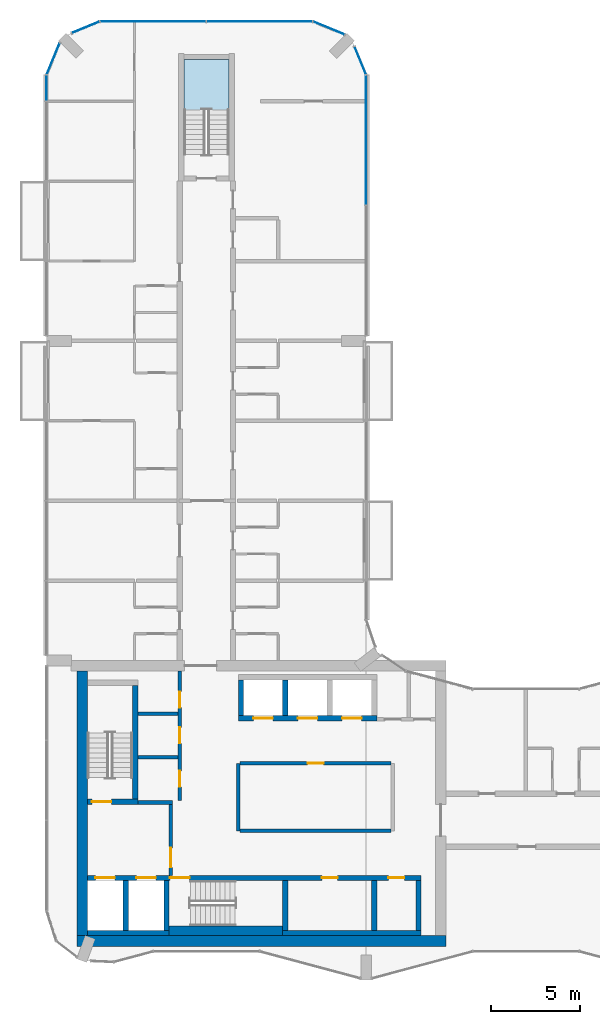
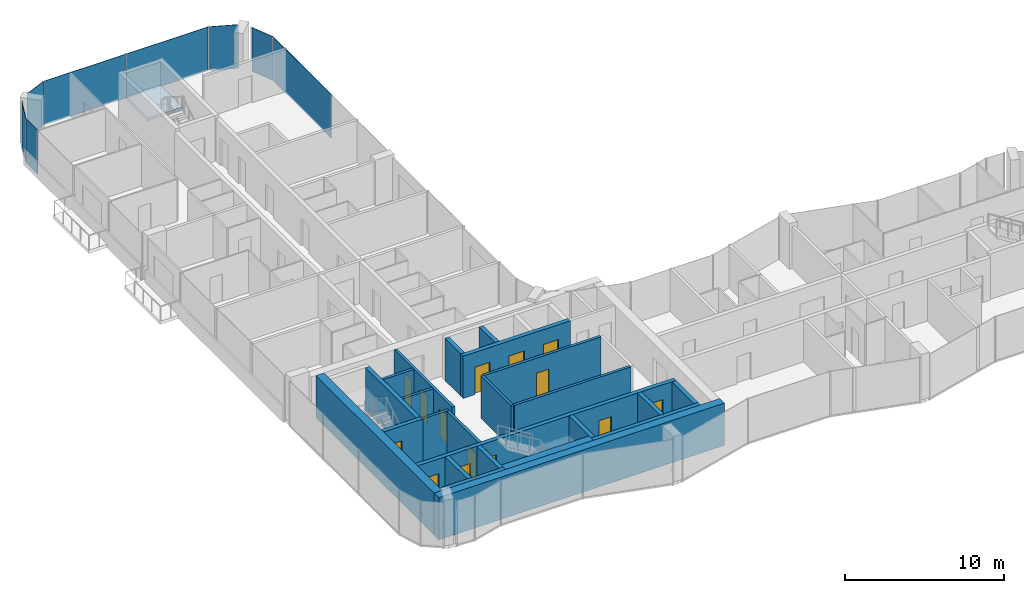
# One storey, part 9 of 15: 24 walls, 14 doors, 8 plates, 1 slab, 14 openings, 8 elements without a shape of their own.
"""IFC4 building model written with IfcOpenShell, lengths in metres."""

from ifc_helpers import new_model, si_unit, direction, frame, frame_2d, origin, origin_2d, place, context, subcontext, project, spatial, polyline, rectangle, outline, extrude, material, layer, layer_set, type_object, element, fill, aggregate, save


model = new_model("IFC4")

# Units and contexts
model_context = context("Model", 3, precision=1e-05, world=origin(), true_north=direction((0.0, 1.0)))
body_context = subcontext(model_context, "Body", "Model", "MODEL_VIEW")
ifc_project = project(units=[si_unit("LENGTHUNIT", "METRE"), si_unit("AREAUNIT", "SQUARE_METRE"), si_unit("VOLUMEUNIT", "CUBIC_METRE"), si_unit("PLANEANGLEUNIT", "RADIAN"), si_unit("MASSUNIT", "GRAM", prefix="KILO")], contexts=[model_context])

# Site, building, storey
site_placement = place(None, origin())
site = spatial("IfcSite", under=ifc_project, at=site_placement, CompositionType="ELEMENT")
building_placement = place(site_placement, origin())
building = spatial("IfcBuilding", under=site, at=building_placement, Name="Plateau Cross Towers", CompositionType="ELEMENT")
storey_placement = place(building_placement, frame((0.0, 0.0, 170.89990234375)))
storey = spatial("IfcBuildingStorey", under=building, at=storey_placement, Name="L44", CompositionType="ELEMENT", Elevation=170.89990234375)

# Curtain wall, plate
ifc_material_1 = material(Name="Dark low-iron glass", Category="glass")
ifc_layer_1 = layer(ifc_material_1, 0.239990234375)
ifc_layer_set_1 = layer_set([ifc_layer_1], Name="Dark low-iron glass")
curtain_wall_type = type_object("IfcCurtainWallType", Name="Curtain wall flush unitised CW-B", PredefinedType="NOTDEFINED", material=ifc_layer_set_1)
curtain_wall_1_placement = place(storey_placement, origin())
curtain_wall_1 = element("IfcCurtainWall", 1, at=curtain_wall_1_placement, inside=storey, type_object=curtain_wall_type, Name="ENV/A/L44/A180_363", PredefinedType="NOTDEFINED")
ifc_layer_2 = layer(ifc_material_1, 0.031982421875)
ifc_layer_set_2 = layer_set([ifc_layer_2], Name="Dark low-iron glass")
plate_type = type_object("IfcPlateType", Name="Glass panel 32 flush unitised", PredefinedType="CURTAIN_PANEL", material=ifc_layer_set_2)
plate_1_placement = place(storey_placement, frame((18.0, 47.324951171875, -0.1298828125), z_axis=(0.0, 0.0, 1.0), x_axis=(0.0, 1.0, 0.0)))
plate_1 = element("IfcPlate", 2, at=plate_1_placement, type_object=plate_type, Name="CW-B panel 2", PredefinedType="CURTAIN_PANEL", context=body_context, shape_type="SweptSolid", body=[
    extrude(rectangle(XDim=7.2900390625, YDim=0.031982421875, at=origin_2d()), origin(), (0.0, 0.0, 1.0), 3.3798828125),
])
aggregate(curtain_wall_1, [plate_1])

curtain_wall_2_placement = place(storey_placement, origin())
curtain_wall_2 = element("IfcCurtainWall", 3, at=curtain_wall_2_placement, inside=storey, type_object=curtain_wall_type, Name="ENV/A/L44/A180_510", PredefinedType="NOTDEFINED")
plate_2_placement = place(storey_placement, frame((17.66943359375, 51.79833984375, -0.1298828125), z_axis=(0.0, 0.0, 1.0), x_axis=(-0.382683612978, 0.923879457699, 0.0)))
plate_2 = element("IfcPlate", 4, at=plate_2_placement, type_object=plate_type, Name="CW-B panel 1", PredefinedType="CURTAIN_PANEL", context=body_context, shape_type="SweptSolid", body=[
    extrude(rectangle(XDim=1.668212890625, YDim=0.031982421875, at=origin_2d()), origin(), (0.0, 0.0, 1.0), 3.3798828125),
])
aggregate(curtain_wall_2, [plate_2])

curtain_wall_3_placement = place(storey_placement, origin())
curtain_wall_3 = element("IfcCurtainWall", 5, at=curtain_wall_3_placement, inside=storey, type_object=curtain_wall_type, Name="ENV/A/L44/A168_533", PredefinedType="NOTDEFINED")
plate_3_placement = place(storey_placement, frame((15.90283203125, 53.6259765625, -0.1298828125), z_axis=(0.0, 0.0, 1.0), x_axis=(-0.923879457699, 0.382683612978, 0.0)))
plate_3 = element("IfcPlate", 6, at=plate_3_placement, type_object=plate_type, Name="CW-B panel 1", PredefinedType="CURTAIN_PANEL", context=body_context, shape_type="SweptSolid", body=[
    extrude(rectangle(XDim=1.894775390625, YDim=0.031982421875, at=origin_2d()), origin(), (0.0, 0.0, 1.0), 3.3798828125),
])
aggregate(curtain_wall_3, [plate_3])

# Curtain wall, plates
curtain_wall_4_placement = place(storey_placement, origin())
curtain_wall_4 = element("IfcCurtainWall", 7, at=curtain_wall_4_placement, inside=storey, type_object=curtain_wall_type, Name="ENV/A/L44/A150_540", PredefinedType="NOTDEFINED")
plate_4_placement = place(storey_placement, frame((12.0, 54.0, -0.1298828125), z_axis=(0.0, 0.0, 1.0), x_axis=(-1.0, 0.0, 0.0)))
plate_4 = element("IfcPlate", 8, at=plate_4_placement, type_object=plate_type, Name="CW-B panel 1", PredefinedType="CURTAIN_PANEL", context=body_context, shape_type="SweptSolid", body=[
    extrude(rectangle(XDim=5.93994140625, YDim=0.031982421875, at=origin_2d()), origin(), (0.0, 0.0, 1.0), 3.3798828125),
])
plate_5_placement = place(storey_placement, frame((6.0, 54.0, -0.1298828125), z_axis=(0.0, 0.0, 1.0), x_axis=(-1.0, 0.0, 0.0)))
plate_5 = element("IfcPlate", 9, at=plate_5_placement, type_object=plate_type, Name="CW-B panel 2", PredefinedType="CURTAIN_PANEL", context=body_context, shape_type="SweptSolid", body=[
    extrude(rectangle(XDim=5.93994140625, YDim=0.031982421875, at=origin_2d()), origin(), (0.0, 0.0, 1.0), 3.3798828125),
])
aggregate(curtain_wall_4, [plate_4, plate_5])

# Curtain wall, plate
curtain_wall_5_placement = place(storey_placement, origin())
curtain_wall_5 = element("IfcCurtainWall", 10, at=curtain_wall_5_placement, inside=storey, type_object=curtain_wall_type, Name="ENV/A/L44/A30_540", PredefinedType="NOTDEFINED")
plate_6_placement = place(storey_placement, frame((2.20166015625, 53.66943359375, -0.1298828125), z_axis=(0.0, 0.0, 1.0), x_axis=(-0.923879457699, -0.382683612978, 0.0)))
plate_6 = element("IfcPlate", 11, at=plate_6_placement, type_object=plate_type, Name="CW-B panel 1", PredefinedType="CURTAIN_PANEL", context=body_context, shape_type="SweptSolid", body=[
    extrude(rectangle(XDim=1.668212890625, YDim=0.031982421875, at=origin_2d()), origin(), (0.0, 0.0, 1.0), 3.3798828125),
])
aggregate(curtain_wall_5, [plate_6])

curtain_wall_6_placement = place(storey_placement, origin())
curtain_wall_6 = element("IfcCurtainWall", 12, at=curtain_wall_6_placement, inside=storey, type_object=curtain_wall_type, Name="ENV/A/L44/A7_528", PredefinedType="NOTDEFINED")
plate_7_placement = place(storey_placement, frame((0.3740234375, 51.90283203125, -0.1298828125), z_axis=(0.0, 0.0, 1.0), x_axis=(-0.382683612978, -0.923879457699, 0.0)))
plate_7 = element("IfcPlate", 13, at=plate_7_placement, type_object=plate_type, Name="CW-B panel 1", PredefinedType="CURTAIN_PANEL", context=body_context, shape_type="SweptSolid", body=[
    extrude(rectangle(XDim=1.894775390625, YDim=0.031982421875, at=origin_2d()), origin(), (0.0, 0.0, 1.0), 3.3798828125),
])
aggregate(curtain_wall_6, [plate_7])

curtain_wall_7_placement = place(storey_placement, origin())
curtain_wall_7 = element("IfcCurtainWall", 14, at=curtain_wall_7_placement, inside=storey, type_object=curtain_wall_type, Name="ENV/A/L44/A0_510", PredefinedType="NOTDEFINED")
plate_8_placement = place(storey_placement, frame((0.0, 50.25, -0.1298828125), z_axis=(0.0, 0.0, 1.0), x_axis=(0.0, -1.0, 0.0)))
plate_8 = element("IfcPlate", 15, at=plate_8_placement, type_object=plate_type, Name="CW-B panel 1", PredefinedType="CURTAIN_PANEL", context=body_context, shape_type="SweptSolid", body=[
    extrude(rectangle(XDim=1.43994140625, YDim=0.031982421875, at=origin_2d()), origin(), (0.0, 0.0, 1.0), 3.3798828125),
])
aggregate(curtain_wall_7, [plate_8])

# Stair, slab
ifc_material_2 = material(Name="Concrete C40/50", Category="concrete")
stair_type = type_object("IfcStairType", Name="ST-TWR", PredefinedType="HALF_TURN_STAIR", material=ifc_material_2)
stair_placement = place(storey_placement, origin())
stair = element("IfcStair", 16, at=stair_placement, inside=storey, type_object=stair_type, Name="L44 Protected Exit Stair N", PredefinedType="HALF_TURN_STAIR")
ifc_layer_3 = layer(ifc_material_2, 0.199951171875)
ifc_layer_set_3 = layer_set([ifc_layer_3], Name="Concrete C40/50")
slab_type = type_object("IfcSlabType", Name="SL-LANDING", PredefinedType="LANDING", material=ifc_layer_set_3)
slab_placement = place(storey_placement, frame((0.0, 0.0, 1.550048828125)))
slab = element("IfcSlab", 17, at=slab_placement, type_object=slab_type, Name="ES-N landing 1", PredefinedType="LANDING", context=body_context, shape_type="SweptSolid", body=[
    extrude(outline(polyline([(10.27490234375, 49.02001953125), (10.27490234375, 51.85009765625), (7.72509765625, 51.85009765625), (7.72509765625, 49.02001953125), (10.27490234375, 49.02001953125)])), origin(), (0.0, 0.0, 1.0), 0.199951171875),
])
aggregate(stair, [slab])

# Wall, opening, door
ifc_material_3 = material(Name="Concrete block, plastered both sides", Category="concrete")
ifc_layer_4 = layer(ifc_material_3, 0.199951171875)
ifc_layer_set_4 = layer_set([ifc_layer_4], Name="Concrete block, plastered both sides")
wall_type_1 = type_object("IfcWallType", Name="Core partition 200", PredefinedType="PARTITIONING", material=ifc_layer_set_4)
wall_1_placement = place(storey_placement, frame((7.0, 5.89990234375, 0.0), z_axis=(0.0, 0.0, 1.0), x_axis=(0.0, 1.0, 0.0)))
wall_1 = element("IfcWall", 18, at=wall_1_placement, inside=storey, type_object=wall_type_1, Name="Core partition", PredefinedType="PARTITIONING", context=body_context, shape_type="SweptSolid", body=[
    extrude(rectangle(XDim=4.0, YDim=0.199951171875, at=frame_2d((2.0, 0.0))), origin(), (0.0, 0.0, 1.0), 3.25),
])
opening_1_placement = place(wall_1_placement, frame((0.449951171875, 0.0, 0.0)))
opening_1 = element("IfcOpeningElement", 19, at=opening_1_placement, cuts=wall_1, Name="Opening FFD", PredefinedType="OPENING", context=body_context, shape_type="SweptSolid", body=[
    extrude(rectangle(XDim=1.10009765625, YDim=2.10009765625, at=frame_2d((0.550048828125, 1.050048828125))), frame((0.0, 0.10986328125, 0.0), z_axis=(0.0, -1.0, 0.0), x_axis=(1.0, 0.0, 0.0)), (0.0, 0.0, 1.0), 0.219970703125),
])
ifc_material_4 = material(Name="Steel, fire-resisting leaf", Category="steel")
door_type_1 = type_object("IfcDoorType", Name="Firefighting lobby door 1100", OperationType="NOTDEFINED", PredefinedType="DOOR", material=ifc_material_4)
door_1_placement = place(opening_1_placement, origin())
door_1 = element("IfcDoor", 20, at=door_1_placement, inside=storey, type_object=door_type_1, Name="Firefighting lobby door FFD", OperationType="SINGLE_SWING_LEFT", OverallHeight=2.10009765625, OverallWidth=1.10009765625, PredefinedType="DOOR", context=body_context, shape_type="SweptSolid", body=[
    extrude(rectangle(XDim=1.10009765625, YDim=2.10009765625, at=frame_2d((0.550048828125, 1.050048828125))), frame((0.0, 0.02490234375, 0.0), z_axis=(0.0, -1.0, 0.0), x_axis=(1.0, 0.0, 0.0)), (0.0, 0.0, 1.0), 0.050048828125),
])
fill(opening_1, door_1)

# Walls
wall_2_placement = place(storey_placement, frame((5.14990234375, 10.0, 0.0), z_axis=(0.0, 0.0, 1.0), x_axis=(1.0, 0.0, 0.0)))
element("IfcWall", 21, at=wall_2_placement, inside=storey, type_object=wall_type_1, Name="Core partition", PredefinedType="PARTITIONING", context=body_context, shape_type="SweptSolid", body=[
    extrude(rectangle(XDim=1.9501953125, YDim=0.199951171875, at=frame_2d((0.97509765625, 0.0))), origin(), (0.0, 0.0, 1.0), 3.25),
])
wall_3_placement = place(storey_placement, frame((10.800048828125, 8.39990234375, 0.0), z_axis=(0.0, 0.0, 1.0), x_axis=(0.0, 1.0, 0.0)))
element("IfcWall", 22, at=wall_3_placement, inside=storey, type_object=wall_type_1, Name="Core partition", PredefinedType="PARTITIONING", context=body_context, shape_type="SweptSolid", body=[
    extrude(rectangle(XDim=3.800048828125, YDim=0.199951171875, at=frame_2d((1.89990234375, 0.0))), origin(), (0.0, 0.0, 1.0), 3.25),
])
wall_4_placement = place(storey_placement, frame((10.89990234375, 8.39990234375, 0.0), z_axis=(0.0, 0.0, 1.0), x_axis=(1.0, 0.0, 0.0)))
element("IfcWall", 23, at=wall_4_placement, inside=storey, type_object=wall_type_1, Name="Core partition", PredefinedType="PARTITIONING", context=body_context, shape_type="SweptSolid", body=[
    extrude(rectangle(XDim=8.5, YDim=0.199951171875, at=frame_2d((4.25, 0.0))), origin(), (0.0, 0.0, 1.0), 3.25),
])

# Wall, opening, door
wall_5_placement = place(storey_placement, frame((10.89990234375, 12.199951171875, 0.0), z_axis=(0.0, 0.0, 1.0), x_axis=(1.0, 0.0, 0.0)))
wall_5 = element("IfcWall", 24, at=wall_5_placement, inside=storey, type_object=wall_type_1, Name="Core partition", PredefinedType="PARTITIONING", context=body_context, shape_type="SweptSolid", body=[
    extrude(rectangle(XDim=8.5, YDim=0.199951171875, at=frame_2d((4.25, 0.0))), origin(), (0.0, 0.0, 1.0), 3.25),
])
opening_2_placement = place(wall_5_placement, frame((3.800048828125, 0.0, 0.0)))
opening_2 = element("IfcOpeningElement", 25, at=opening_2_placement, cuts=wall_5, Name="Opening RD1", PredefinedType="OPENING", context=body_context, shape_type="SweptSolid", body=[
    extrude(rectangle(XDim=0.89990234375, YDim=2.10009765625, at=frame_2d((0.449951171875, 1.050048828125))), frame((0.0, 0.10986328125, 0.0), z_axis=(0.0, -1.0, 0.0), x_axis=(1.0, 0.0, 0.0)), (0.0, 0.0, 1.0), 0.219970703125),
])
ifc_material_5 = material(Name="Timber, fire-resisting leaf", Category="wood")
door_type_2 = type_object("IfcDoorType", Name="Core service door 900", OperationType="NOTDEFINED", PredefinedType="DOOR", material=ifc_material_5)
door_2_placement = place(opening_2_placement, origin())
door_2 = element("IfcDoor", 26, at=door_2_placement, inside=storey, type_object=door_type_2, Name="Core service door RD1", OperationType="SINGLE_SWING_LEFT", OverallHeight=2.10009765625, OverallWidth=0.89990234375, PredefinedType="DOOR", context=body_context, shape_type="SweptSolid", body=[
    extrude(rectangle(XDim=0.89990234375, YDim=2.10009765625, at=frame_2d((0.449951171875, 1.050048828125))), frame((0.0, 0.02490234375, 0.0), z_axis=(0.0, -1.0, 0.0), x_axis=(1.0, 0.0, 0.0)), (0.0, 0.0, 1.0), 0.050048828125),
])
fill(opening_2, door_2)

# Wall, openings, doors
wall_6_placement = place(storey_placement, frame((7.5, 10.10009765625, 0.0), z_axis=(0.0, 0.0, 1.0), x_axis=(0.0, 1.0, 0.0)))
wall_6 = element("IfcWall", 27, at=wall_6_placement, inside=storey, type_object=wall_type_1, Name="Core partition", PredefinedType="PARTITIONING", context=body_context, shape_type="SweptSolid", body=[
    extrude(rectangle(XDim=7.2998046875, YDim=0.199951171875, at=frame_2d((3.64990234375, 0.0))), origin(), (0.0, 0.0, 1.0), 3.25),
])
opening_3_placement = place(wall_6_placement, frame((0.77490234375, 0.0, 0.0)))
opening_3 = element("IfcOpeningElement", 28, at=opening_3_placement, cuts=wall_6, Name="Opening RD1", PredefinedType="OPENING", context=body_context, shape_type="SweptSolid", body=[
    extrude(rectangle(XDim=0.89990234375, YDim=2.10009765625, at=frame_2d((0.449951171875, 1.050048828125))), frame((0.0, 0.10986328125, 0.0), z_axis=(0.0, -1.0, 0.0), x_axis=(1.0, 0.0, 0.0)), (0.0, 0.0, 1.0), 0.219970703125),
])
opening_4_placement = place(wall_6_placement, frame((3.22509765625, 0.0, 0.0)))
opening_4 = element("IfcOpeningElement", 29, at=opening_4_placement, cuts=wall_6, Name="Opening RD1", PredefinedType="OPENING", context=body_context, shape_type="SweptSolid", body=[
    extrude(rectangle(XDim=0.89990234375, YDim=2.10009765625, at=frame_2d((0.449951171875, 1.050048828125))), frame((0.0, 0.10986328125, 0.0), z_axis=(0.0, -1.0, 0.0), x_axis=(1.0, 0.0, 0.0)), (0.0, 0.0, 1.0), 0.219970703125),
])
opening_5_placement = place(wall_6_placement, frame((5.25, 0.0, 0.0)))
opening_5 = element("IfcOpeningElement", 30, at=opening_5_placement, cuts=wall_6, Name="Opening RD1", PredefinedType="OPENING", context=body_context, shape_type="SweptSolid", body=[
    extrude(rectangle(XDim=0.89990234375, YDim=2.10009765625, at=frame_2d((0.449951171875, 1.050048828125))), frame((0.0, 0.10986328125, 0.0), z_axis=(0.0, -1.0, 0.0), x_axis=(1.0, 0.0, 0.0)), (0.0, 0.0, 1.0), 0.219970703125),
])
door_3_placement = place(opening_3_placement, origin())
door_3 = element("IfcDoor", 31, at=door_3_placement, inside=storey, type_object=door_type_2, Name="Core service door RD1", OperationType="SINGLE_SWING_RIGHT", OverallHeight=2.10009765625, OverallWidth=0.89990234375, PredefinedType="DOOR", context=body_context, shape_type="SweptSolid", body=[
    extrude(rectangle(XDim=0.89990234375, YDim=2.10009765625, at=frame_2d((0.449951171875, 1.050048828125))), frame((0.0, 0.02490234375, 0.0), z_axis=(0.0, -1.0, 0.0), x_axis=(1.0, 0.0, 0.0)), (0.0, 0.0, 1.0), 0.050048828125),
])
fill(opening_3, door_3)
door_4_placement = place(opening_4_placement, origin())
door_4 = element("IfcDoor", 32, at=door_4_placement, inside=storey, type_object=door_type_2, Name="Core service door RD1", OperationType="SINGLE_SWING_RIGHT", OverallHeight=2.10009765625, OverallWidth=0.89990234375, PredefinedType="DOOR", context=body_context, shape_type="SweptSolid", body=[
    extrude(rectangle(XDim=0.89990234375, YDim=2.10009765625, at=frame_2d((0.449951171875, 1.050048828125))), frame((0.0, 0.02490234375, 0.0), z_axis=(0.0, -1.0, 0.0), x_axis=(1.0, 0.0, 0.0)), (0.0, 0.0, 1.0), 0.050048828125),
])
fill(opening_4, door_4)
door_5_placement = place(opening_5_placement, origin())
door_5 = element("IfcDoor", 33, at=door_5_placement, inside=storey, type_object=door_type_2, Name="Core service door RD1", OperationType="SINGLE_SWING_RIGHT", OverallHeight=2.10009765625, OverallWidth=0.89990234375, PredefinedType="DOOR", context=body_context, shape_type="SweptSolid", body=[
    extrude(rectangle(XDim=0.89990234375, YDim=2.10009765625, at=frame_2d((0.449951171875, 1.050048828125))), frame((0.0, 0.02490234375, 0.0), z_axis=(0.0, -1.0, 0.0), x_axis=(1.0, 0.0, 0.0)), (0.0, 0.0, 1.0), 0.050048828125),
])
fill(opening_5, door_5)

# Walls
for number, where, z_axis, x_axis, name in (
    (34, (5.14990234375, 12.550048828125, 0.0), (0.0, 0.0, 1.0), (1.0, 0.0, 0.0), "Core partition"),
    (35, (5.14990234375, 15.0, 0.0), (0.0, 0.0, 1.0), (1.0, 0.0, 0.0), "Core partition"),
):
    element("IfcWall", number, at=place(storey_placement, frame(where, z_axis=z_axis, x_axis=x_axis)), inside=storey, type_object=wall_type_1, Name=name, PredefinedType="PARTITIONING", context=body_context, shape_type="SweptSolid", body=[
        extrude(rectangle(XDim=2.25, YDim=0.199951171875, at=frame_2d((1.125, 0.0))), origin(), (0.0, 0.0, 1.0), 3.25),
    ])
ifc_material_6 = material(Name="Concrete C60/75", Category="concrete")
ifc_layer_5 = layer(ifc_material_6, 0.300048828125)
ifc_layer_set_5 = layer_set([ifc_layer_5], Name="Concrete C60/75")
wall_type_2 = type_object("IfcWallType", Name="Core shaft wall 300", PredefinedType="SHEAR", material=ifc_layer_set_5)
wall_7_placement = place(storey_placement, frame((2.300048828125, 2.64990234375, 0.0), z_axis=(0.0, 0.0, 1.0), x_axis=(1.0, 0.0, 0.0)))
element("IfcWall", 36, at=wall_7_placement, inside=storey, type_object=wall_type_2, Name="A-sb-back1@L44", PredefinedType="SHEAR", context=body_context, shape_type="SweptSolid", body=[
    extrude(rectangle(XDim=4.599853515625, YDim=0.300048828125, at=frame_2d((2.2998046875, 0.0))), origin(), (0.0, 0.0, 1.0), 3.25),
])
wall_8_placement = place(storey_placement, frame((13.300048828125, 2.64990234375, 0.0), z_axis=(0.0, 0.0, 1.0), x_axis=(1.0, 0.0, 0.0)))
element("IfcWall", 37, at=wall_8_placement, inside=storey, type_object=wall_type_2, Name="A-sb-back3@L44", PredefinedType="SHEAR", context=body_context, shape_type="SweptSolid", body=[
    extrude(rectangle(XDim=7.800048828125, YDim=0.300048828125, at=frame_2d((3.89990234375, 0.0))), origin(), (0.0, 0.0, 1.0), 3.25),
])
for number, where, z_axis, x_axis, name in (
    (38, (4.449951171875, 2.800048828125, 0.0), (0.0, 0.0, 1.0), (0.0, 1.0, 0.0), "A-sb-v1@L44"),
    (39, (6.75, 2.800048828125, 0.0), (0.0, 0.0, 1.0), (0.0, 1.0, 0.0), "A-sb-v2@L44"),
    (40, (13.449951171875, 2.800048828125, 0.0), (0.0, 0.0, 1.0), (0.0, 1.0, 0.0), "A-sb-v3@L44"),
    (41, (18.449951171875, 2.800048828125, 0.0), (0.0, 0.0, 1.0), (0.0, 1.0, 0.0), "A-sb-v5@L44"),
    (42, (20.949951171875, 2.800048828125, 0.0), (0.0, 0.0, 1.0), (0.0, 1.0, 0.0), "A-sb-v6@L44"),
):
    element("IfcWall", number, at=place(storey_placement, frame(where, z_axis=z_axis, x_axis=x_axis)), inside=storey, type_object=wall_type_2, Name=name, PredefinedType="SHEAR", context=body_context, shape_type="SweptSolid", body=[
        extrude(rectangle(XDim=2.800048828125, YDim=0.300048828125, at=frame_2d((1.39990234375, 0.0))), origin(), (0.0, 0.0, 1.0), 3.25),
    ])

# Wall, openings, doors
wall_9_placement = place(storey_placement, frame((2.300048828125, 5.75, 0.0), z_axis=(0.0, 0.0, 1.0), x_axis=(1.0, 0.0, 0.0)))
wall_9 = element("IfcWall", 43, at=wall_9_placement, inside=storey, type_object=wall_type_2, Name="A-sb-front@L44", PredefinedType="SHEAR", context=body_context, shape_type="SweptSolid", body=[
    extrude(rectangle(XDim=18.800048828125, YDim=0.300048828125, at=frame_2d((9.39990234375, 0.0))), origin(), (0.0, 0.0, 1.0), 3.25),
])
opening_6_placement = place(wall_9_placement, frame((4.64990234375, 0.0, 0.0)))
opening_6 = element("IfcOpeningElement", 44, at=opening_6_placement, cuts=wall_9, Name="Opening SD", PredefinedType="OPENING", context=body_context, shape_type="SweptSolid", body=[
    extrude(rectangle(XDim=1.10009765625, YDim=2.10009765625, at=frame_2d((0.550048828125, 1.050048828125))), frame((0.0, 0.159912109375, 0.0), z_axis=(0.0, -1.0, 0.0), x_axis=(1.0, 0.0, 0.0)), (0.0, 0.0, 1.0), 0.320068359375),
])
opening_7_placement = place(wall_9_placement, frame((0.449951171875, 0.0, 0.0)))
opening_7 = element("IfcOpeningElement", 45, at=opening_7_placement, cuts=wall_9, Name="Opening LD", PredefinedType="OPENING", context=body_context, shape_type="SweptSolid", body=[
    extrude(rectangle(XDim=1.10009765625, YDim=2.10009765625, at=frame_2d((0.550048828125, 1.050048828125))), frame((0.0, 0.159912109375, 0.0), z_axis=(0.0, -1.0, 0.0), x_axis=(1.0, 0.0, 0.0)), (0.0, 0.0, 1.0), 0.320068359375),
])
opening_8_placement = place(wall_9_placement, frame((2.75, 0.0, 0.0)))
opening_8 = element("IfcOpeningElement", 46, at=opening_8_placement, cuts=wall_9, Name="Opening LD", PredefinedType="OPENING", context=body_context, shape_type="SweptSolid", body=[
    extrude(rectangle(XDim=1.10009765625, YDim=2.10009765625, at=frame_2d((0.550048828125, 1.050048828125))), frame((0.0, 0.159912109375, 0.0), z_axis=(0.0, -1.0, 0.0), x_axis=(1.0, 0.0, 0.0)), (0.0, 0.0, 1.0), 0.320068359375),
])
opening_9_placement = place(wall_9_placement, frame((13.199951171875, 0.0, 0.0)))
opening_9 = element("IfcOpeningElement", 47, at=opening_9_placement, cuts=wall_9, Name="Opening RD2", PredefinedType="OPENING", context=body_context, shape_type="SweptSolid", body=[
    extrude(rectangle(XDim=0.89990234375, YDim=2.10009765625, at=frame_2d((0.449951171875, 1.050048828125))), frame((0.0, 0.159912109375, 0.0), z_axis=(0.0, -1.0, 0.0), x_axis=(1.0, 0.0, 0.0)), (0.0, 0.0, 1.0), 0.320068359375),
])
opening_10_placement = place(wall_9_placement, frame((16.949951171875, 0.0, 0.0)))
opening_10 = element("IfcOpeningElement", 48, at=opening_10_placement, cuts=wall_9, Name="Opening RD2", PredefinedType="OPENING", context=body_context, shape_type="SweptSolid", body=[
    extrude(rectangle(XDim=0.89990234375, YDim=2.10009765625, at=frame_2d((0.449951171875, 1.050048828125))), frame((0.0, 0.159912109375, 0.0), z_axis=(0.0, -1.0, 0.0), x_axis=(1.0, 0.0, 0.0)), (0.0, 0.0, 1.0), 0.320068359375),
])
door_type_3 = type_object("IfcDoorType", Name="Core riser door 900", OperationType="NOTDEFINED", PredefinedType="DOOR", material=ifc_material_4)
door_6_placement = place(opening_9_placement, origin())
door_6 = element("IfcDoor", 49, at=door_6_placement, inside=storey, type_object=door_type_3, Name="Core riser door RD2", OperationType="SINGLE_SWING_LEFT", OverallHeight=2.10009765625, OverallWidth=0.89990234375, PredefinedType="DOOR", context=body_context, shape_type="SweptSolid", body=[
    extrude(rectangle(XDim=0.89990234375, YDim=2.10009765625, at=frame_2d((0.449951171875, 1.050048828125))), frame((0.0, 0.02490234375, 0.0), z_axis=(0.0, -1.0, 0.0), x_axis=(1.0, 0.0, 0.0)), (0.0, 0.0, 1.0), 0.050048828125),
])
fill(opening_9, door_6)
door_7_placement = place(opening_10_placement, origin())
door_7 = element("IfcDoor", 50, at=door_7_placement, inside=storey, type_object=door_type_3, Name="Core riser door RD2", OperationType="SINGLE_SWING_LEFT", OverallHeight=2.10009765625, OverallWidth=0.89990234375, PredefinedType="DOOR", context=body_context, shape_type="SweptSolid", body=[
    extrude(rectangle(XDim=0.89990234375, YDim=2.10009765625, at=frame_2d((0.449951171875, 1.050048828125))), frame((0.0, 0.02490234375, 0.0), z_axis=(0.0, -1.0, 0.0), x_axis=(1.0, 0.0, 0.0)), (0.0, 0.0, 1.0), 0.050048828125),
])
fill(opening_10, door_7)
ifc_material_7 = material(Name="Stainless steel, fire-resisting sliding leaves", Category="steel")
door_type_4 = type_object("IfcDoorType", Name="Lift landing door 1100", OperationType="NOTDEFINED", PredefinedType="DOOR", material=ifc_material_7)
door_8_placement = place(opening_7_placement, origin())
door_8 = element("IfcDoor", 51, at=door_8_placement, inside=storey, type_object=door_type_4, Name="Lift landing door LD", OperationType="DOUBLE_DOOR_SLIDING", OverallHeight=2.10009765625, OverallWidth=1.10009765625, PredefinedType="DOOR", context=body_context, shape_type="SweptSolid", body=[
    extrude(rectangle(XDim=1.10009765625, YDim=2.10009765625, at=frame_2d((0.550048828125, 1.050048828125))), frame((0.0, 0.02490234375, 0.0), z_axis=(0.0, -1.0, 0.0), x_axis=(1.0, 0.0, 0.0)), (0.0, 0.0, 1.0), 0.050048828125),
])
fill(opening_7, door_8)
door_9_placement = place(opening_8_placement, origin())
door_9 = element("IfcDoor", 52, at=door_9_placement, inside=storey, type_object=door_type_4, Name="Lift landing door LD", OperationType="DOUBLE_DOOR_SLIDING", OverallHeight=2.10009765625, OverallWidth=1.10009765625, PredefinedType="DOOR", context=body_context, shape_type="SweptSolid", body=[
    extrude(rectangle(XDim=1.10009765625, YDim=2.10009765625, at=frame_2d((0.550048828125, 1.050048828125))), frame((0.0, 0.02490234375, 0.0), z_axis=(0.0, -1.0, 0.0), x_axis=(1.0, 0.0, 0.0)), (0.0, 0.0, 1.0), 0.050048828125),
])
fill(opening_8, door_9)
door_type_5 = type_object("IfcDoorType", Name="Stair door 1100", OperationType="NOTDEFINED", PredefinedType="DOOR", material=ifc_material_4)
door_10_placement = place(opening_6_placement, origin())
door_10 = element("IfcDoor", 53, at=door_10_placement, inside=storey, type_object=door_type_5, Name="Stair door SD", OperationType="SINGLE_SWING_LEFT", OverallHeight=2.10009765625, OverallWidth=1.10009765625, PredefinedType="DOOR", context=body_context, shape_type="SweptSolid", body=[
    extrude(rectangle(XDim=1.10009765625, YDim=2.10009765625, at=frame_2d((0.550048828125, 1.050048828125))), frame((0.0, 0.02490234375, 0.0), z_axis=(0.0, -1.0, 0.0), x_axis=(1.0, 0.0, 0.0)), (0.0, 0.0, 1.0), 0.050048828125),
])
fill(opening_6, door_10)

# Wall, opening, door
wall_10_placement = place(storey_placement, frame((2.300048828125, 10.050048828125, 0.0), z_axis=(0.0, 0.0, 1.0), x_axis=(1.0, 0.0, 0.0)))
wall_10 = element("IfcWall", 54, at=wall_10_placement, inside=storey, type_object=wall_type_2, Name="A-st1-S@L44", PredefinedType="SHEAR", context=body_context, shape_type="SweptSolid", body=[
    extrude(rectangle(XDim=2.849853515625, YDim=0.300048828125, at=frame_2d((1.4248046875, 0.0))), origin(), (0.0, 0.0, 1.0), 3.25),
])
opening_11_placement = place(wall_10_placement, frame((0.25, 0.0, 0.0)))
opening_11 = element("IfcOpeningElement", 55, at=opening_11_placement, cuts=wall_10, Name="Opening SD", PredefinedType="OPENING", context=body_context, shape_type="SweptSolid", body=[
    extrude(rectangle(XDim=1.10009765625, YDim=2.10009765625, at=frame_2d((0.550048828125, 1.050048828125))), frame((0.0, 0.159912109375, 0.0), z_axis=(0.0, -1.0, 0.0), x_axis=(1.0, 0.0, 0.0)), (0.0, 0.0, 1.0), 0.320068359375),
])
door_11_placement = place(opening_11_placement, origin())
door_11 = element("IfcDoor", 56, at=door_11_placement, inside=storey, type_object=door_type_5, Name="Stair door SD", OperationType="SINGLE_SWING_RIGHT", OverallHeight=2.10009765625, OverallWidth=1.10009765625, PredefinedType="DOOR", context=body_context, shape_type="SweptSolid", body=[
    extrude(rectangle(XDim=1.10009765625, YDim=2.10009765625, at=frame_2d((0.550048828125, 1.050048828125))), frame((0.0, 0.02490234375, 0.0), z_axis=(0.0, -1.0, 0.0), x_axis=(1.0, 0.0, 0.0)), (0.0, 0.0, 1.0), 0.050048828125),
])
fill(opening_11, door_11)

# Wall
wall_11_placement = place(storey_placement, frame((5.0, 10.199951171875, 0.0), z_axis=(0.0, 0.0, 1.0), x_axis=(0.0, 1.0, 0.0)))
element("IfcWall", 57, at=wall_11_placement, inside=storey, type_object=wall_type_2, Name="A-st1-E@L44", PredefinedType="SHEAR", context=body_context, shape_type="SweptSolid", body=[
    extrude(rectangle(XDim=6.400146484375, YDim=0.300048828125, at=frame_2d((3.2001953125, 0.0))), origin(), (0.0, 0.0, 1.0), 3.25),
])

# Wall, openings, doors
wall_12_placement = place(storey_placement, frame((10.800048828125, 14.75, 0.0), z_axis=(0.0, 0.0, 1.0), x_axis=(1.0, 0.0, 0.0)))
wall_12 = element("IfcWall", 58, at=wall_12_placement, inside=storey, type_object=wall_type_2, Name="A-nb-front@L44", PredefinedType="SHEAR", context=body_context, shape_type="SweptSolid", body=[
    extrude(rectangle(XDim=7.800048828125, YDim=0.300048828125, at=frame_2d((3.89990234375, 0.0))), origin(), (0.0, 0.0, 1.0), 3.25),
])
opening_12_placement = place(wall_12_placement, frame((0.85009765625, 0.0, 0.0)))
opening_12 = element("IfcOpeningElement", 59, at=opening_12_placement, cuts=wall_12, Name="Opening LD", PredefinedType="OPENING", context=body_context, shape_type="SweptSolid", body=[
    extrude(rectangle(XDim=1.10009765625, YDim=2.10009765625, at=frame_2d((0.550048828125, 1.050048828125))), frame((0.0, 0.159912109375, 0.0), z_axis=(0.0, -1.0, 0.0), x_axis=(1.0, 0.0, 0.0)), (0.0, 0.0, 1.0), 0.320068359375),
])
opening_13_placement = place(wall_12_placement, frame((3.35009765625, 0.0, 0.0)))
opening_13 = element("IfcOpeningElement", 60, at=opening_13_placement, cuts=wall_12, Name="Opening LD", PredefinedType="OPENING", context=body_context, shape_type="SweptSolid", body=[
    extrude(rectangle(XDim=1.10009765625, YDim=2.10009765625, at=frame_2d((0.550048828125, 1.050048828125))), frame((0.0, 0.159912109375, 0.0), z_axis=(0.0, -1.0, 0.0), x_axis=(1.0, 0.0, 0.0)), (0.0, 0.0, 1.0), 0.320068359375),
])
opening_14_placement = place(wall_12_placement, frame((5.85009765625, 0.0, 0.0)))
opening_14 = element("IfcOpeningElement", 61, at=opening_14_placement, cuts=wall_12, Name="Opening LD", PredefinedType="OPENING", context=body_context, shape_type="SweptSolid", body=[
    extrude(rectangle(XDim=1.10009765625, YDim=2.10009765625, at=frame_2d((0.550048828125, 1.050048828125))), frame((0.0, 0.159912109375, 0.0), z_axis=(0.0, -1.0, 0.0), x_axis=(1.0, 0.0, 0.0)), (0.0, 0.0, 1.0), 0.320068359375),
])
door_12_placement = place(opening_12_placement, origin())
door_12 = element("IfcDoor", 62, at=door_12_placement, inside=storey, type_object=door_type_4, Name="Lift landing door LD", OperationType="DOUBLE_DOOR_SLIDING", OverallHeight=2.10009765625, OverallWidth=1.10009765625, PredefinedType="DOOR", context=body_context, shape_type="SweptSolid", body=[
    extrude(rectangle(XDim=1.10009765625, YDim=2.10009765625, at=frame_2d((0.550048828125, 1.050048828125))), frame((0.0, 0.02490234375, 0.0), z_axis=(0.0, -1.0, 0.0), x_axis=(1.0, 0.0, 0.0)), (0.0, 0.0, 1.0), 0.050048828125),
])
fill(opening_12, door_12)
door_13_placement = place(opening_13_placement, origin())
door_13 = element("IfcDoor", 63, at=door_13_placement, inside=storey, type_object=door_type_4, Name="Lift landing door LD", OperationType="DOUBLE_DOOR_SLIDING", OverallHeight=2.10009765625, OverallWidth=1.10009765625, PredefinedType="DOOR", context=body_context, shape_type="SweptSolid", body=[
    extrude(rectangle(XDim=1.10009765625, YDim=2.10009765625, at=frame_2d((0.550048828125, 1.050048828125))), frame((0.0, 0.02490234375, 0.0), z_axis=(0.0, -1.0, 0.0), x_axis=(1.0, 0.0, 0.0)), (0.0, 0.0, 1.0), 0.050048828125),
])
fill(opening_13, door_13)
door_14_placement = place(opening_14_placement, origin())
door_14 = element("IfcDoor", 64, at=door_14_placement, inside=storey, type_object=door_type_4, Name="Lift landing door LD", OperationType="DOUBLE_DOOR_SLIDING", OverallHeight=2.10009765625, OverallWidth=1.10009765625, PredefinedType="DOOR", context=body_context, shape_type="SweptSolid", body=[
    extrude(rectangle(XDim=1.10009765625, YDim=2.10009765625, at=frame_2d((0.550048828125, 1.050048828125))), frame((0.0, 0.02490234375, 0.0), z_axis=(0.0, -1.0, 0.0), x_axis=(1.0, 0.0, 0.0)), (0.0, 0.0, 1.0), 0.050048828125),
])
fill(opening_14, door_14)

# Walls
for number, where, z_axis, x_axis, name in (
    (65, (10.949951171875, 14.89990234375, 0.0), (0.0, 0.0, 1.0), (0.0, 1.0, 0.0), "A-nb-v1@L44"),
    (66, (13.449951171875, 14.89990234375, 0.0), (0.0, 0.0, 1.0), (0.0, 1.0, 0.0), "A-nb-v2@L44"),
):
    element("IfcWall", number, at=place(storey_placement, frame(where, z_axis=z_axis, x_axis=x_axis)), inside=storey, type_object=wall_type_2, Name=name, PredefinedType="SHEAR", context=body_context, shape_type="SweptSolid", body=[
        extrude(rectangle(XDim=2.0, YDim=0.300048828125, at=frame_2d((1.0, 0.0))), origin(), (0.0, 0.0, 1.0), 3.25),
    ])
ifc_layer_6 = layer(ifc_material_6, 0.550048828125)
ifc_layer_set_6 = layer_set([ifc_layer_6], Name="Concrete C60/75")
wall_type_3 = type_object("IfcWallType", Name="Core shaft wall 550", PredefinedType="SHEAR", material=ifc_layer_set_6)
wall_13_placement = place(storey_placement, frame((6.89990234375, 2.77490234375, 0.0), z_axis=(0.0, 0.0, 1.0), x_axis=(1.0, 0.0, 0.0)))
element("IfcWall", 67, at=wall_13_placement, inside=storey, type_object=wall_type_3, Name="A-sb-back2@L44", PredefinedType="SHEAR", context=body_context, shape_type="SweptSolid", body=[
    extrude(rectangle(XDim=6.400146484375, YDim=0.550048828125, at=frame_2d((3.2001953125, 0.0))), origin(), (0.0, 0.0, 1.0), 3.25),
])
ifc_layer_7 = layer(ifc_material_6, 0.60009765625)
ifc_layer_set_7 = layer_set([ifc_layer_7], Name="Concrete C60/75")
wall_type_4 = type_object("IfcWallType", Name="Core shell wall 600", PredefinedType="SHEAR", material=ifc_layer_set_7)
wall_14_placement = place(storey_placement, frame((1.699951171875, 2.199951171875, 0.0), z_axis=(0.0, 0.0, 1.0), x_axis=(1.0, 0.0, 0.0)))
element("IfcWall", 68, at=wall_14_placement, inside=storey, type_object=wall_type_4, Name="A-core-S@L44", PredefinedType="SHEAR", context=body_context, shape_type="SweptSolid", body=[
    extrude(rectangle(XDim=20.800048828125, YDim=0.60009765625, at=frame_2d((10.39990234375, 0.0))), origin(), (0.0, 0.0, 1.0), 3.25),
])
wall_15_placement = place(storey_placement, frame((2.0, 2.5, 0.0), z_axis=(0.0, 0.0, 1.0), x_axis=(0.0, 1.0, 0.0)))
element("IfcWall", 69, at=wall_15_placement, inside=storey, type_object=wall_type_4, Name="A-core-W@L44", PredefinedType="SHEAR", context=body_context, shape_type="SweptSolid", body=[
    extrude(rectangle(XDim=14.89990234375, YDim=0.60009765625, at=frame_2d((7.449951171875, 0.0))), origin(), (0.0, 0.0, 1.0), 3.25),
])

save(model, "model.ifc")
